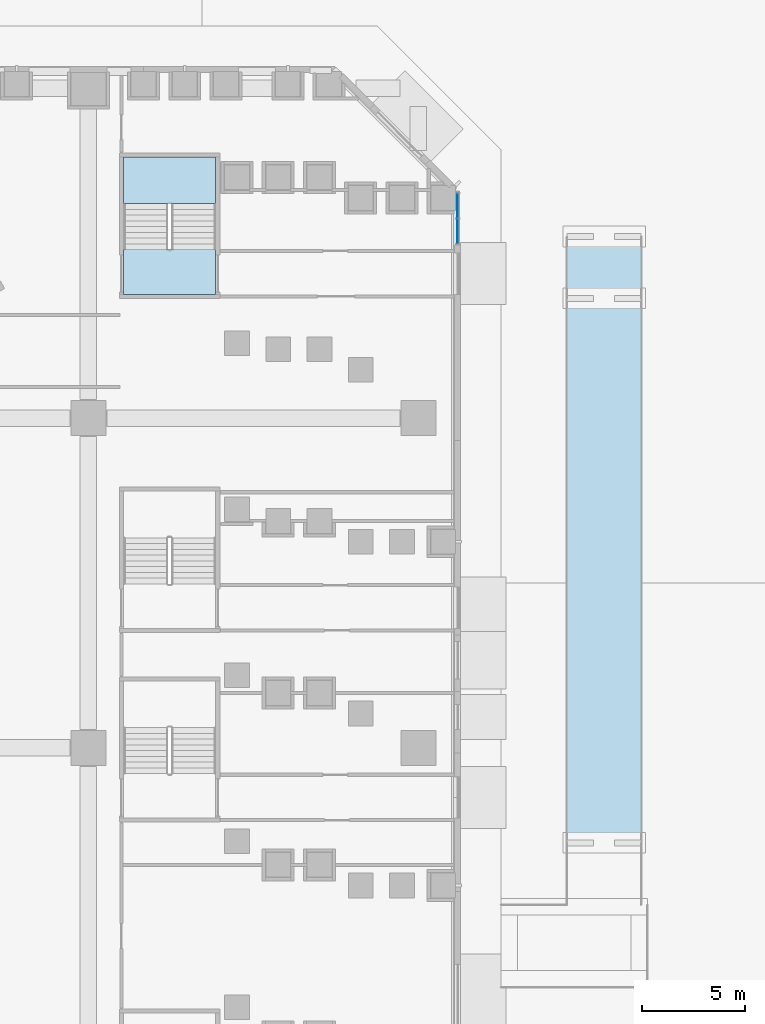
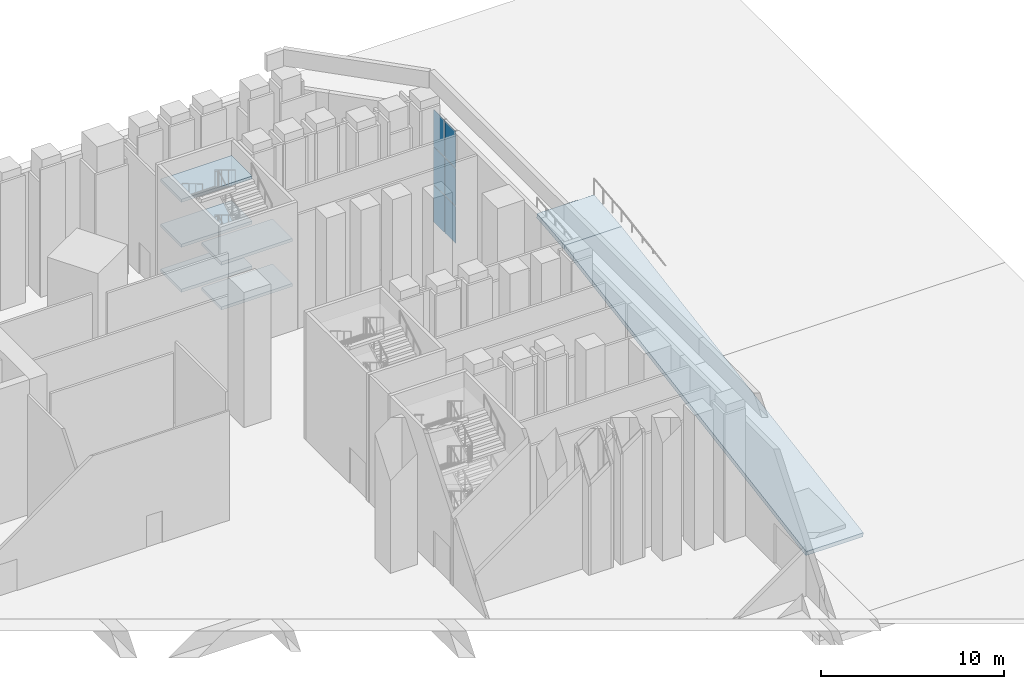
# One storey, part 17 of 51: 7 slabs, 6 plates, 3 elements without a shape of their own.
"""IFC4 building model written with IfcOpenShell, lengths in metres."""

from ifc_helpers import new_model, si_unit, direction, frame, origin, origin_2d, place, context, subcontext, project, spatial, polyline, rectangle, outline, extrude, material, layer, layer_set, type_object, element, aggregate, save


model = new_model("IFC4")

# Units and contexts
model_context = context("Model", 3, precision=1e-05, world=origin(), true_north=direction((0.0, 1.0)))
body_context = subcontext(model_context, "Body", "Model", "MODEL_VIEW")
ifc_project = project(units=[si_unit("LENGTHUNIT", "METRE"), si_unit("AREAUNIT", "SQUARE_METRE"), si_unit("VOLUMEUNIT", "CUBIC_METRE"), si_unit("PLANEANGLEUNIT", "RADIAN"), si_unit("MASSUNIT", "GRAM", prefix="KILO")], contexts=[model_context])

# Site, building, storey
site_placement = place(None, origin())
site = spatial("IfcSite", under=ifc_project, at=site_placement, CompositionType="ELEMENT")
building_placement = place(site_placement, origin())
building = spatial("IfcBuilding", under=site, at=building_placement, Name="Calabash Gate Tower", CompositionType="ELEMENT")
storey_placement = place(building_placement, origin())
storey = spatial("IfcBuildingStorey", under=building, at=storey_placement, Name="L00", CompositionType="ELEMENT", Elevation=0.0)

# Curtain wall, plates
ifc_material_1 = material(Name="Anodised aluminium frame, bronze finish, clear laminated impact-rated glazing", Category="aluminium")
curtain_wall_type = type_object("IfcCurtainWallType", Name="Curtain wall CWF podium shopfront", PredefinedType="NOTDEFINED", material=ifc_material_1)
curtain_wall_placement = place(storey_placement, origin())
curtain_wall = element("IfcCurtainWall", 1, at=curtain_wall_placement, inside=storey, type_object=curtain_wall_type, Name="Curtain wall CWF L00 2.1.0", PredefinedType="NOTDEFINED")
ifc_material_2 = material(Name="Clear laminated impact-rated glazing", Category="glass")
ifc_layer_1 = layer(ifc_material_2, 0.035888671875)
ifc_layer_set_1 = layer_set([ifc_layer_1], Name="Glass panel CWF 36")
plate_type = type_object("IfcPlateType", Name="Glass panel CWF 36", PredefinedType="CURTAIN_PANEL", material=ifc_layer_set_1)
plate_1_placement = place(storey_placement, frame((49.89990234375, 17.0537109375, 0.06494140625), z_axis=(0.0, 0.0, 1.0), x_axis=(0.0, 1.0, 0.0)))
plate_1 = element("IfcPlate", 2, at=plate_1_placement, type_object=plate_type, Name="CWF panel 1.1", PredefinedType="CURTAIN_PANEL", context=body_context, shape_type="SweptSolid", body=[
    extrude(rectangle(XDim=1.177490234375, YDim=0.035888671875, at=origin_2d()), origin(), (0.0, 0.0, 1.0), 2.435791015625),
])
plate_2_placement = place(storey_placement, frame((49.89990234375, 17.0537109375, 2.56591796875), z_axis=(0.0, 0.0, 1.0), x_axis=(0.0, 1.0, 0.0)))
plate_2 = element("IfcPlate", 3, at=plate_2_placement, type_object=plate_type, Name="CWF panel 1.2", PredefinedType="CURTAIN_PANEL", context=body_context, shape_type="SweptSolid", body=[
    extrude(rectangle(XDim=1.177490234375, YDim=0.035888671875, at=origin_2d()), origin(), (0.0, 0.0, 1.0), 2.46826171875),
])
plate_3_placement = place(storey_placement, frame((49.89990234375, 17.0537109375, 5.09912109375), z_axis=(0.0, 0.0, 1.0), x_axis=(0.0, 1.0, 0.0)))
plate_3 = element("IfcPlate", 4, at=plate_3_placement, type_object=plate_type, Name="CWF panel 1.3", PredefinedType="CURTAIN_PANEL", context=body_context, shape_type="SweptSolid", body=[
    extrude(rectangle(XDim=1.177490234375, YDim=0.035888671875, at=origin_2d()), origin(), (0.0, 0.0, 1.0), 2.435791015625),
])
plate_4_placement = place(storey_placement, frame((49.89990234375, 18.296142578125, 0.06494140625), z_axis=(0.0, 0.0, 1.0), x_axis=(0.0, 1.0, 0.0)))
plate_4 = element("IfcPlate", 5, at=plate_4_placement, type_object=plate_type, Name="CWF panel 2.1", PredefinedType="CURTAIN_PANEL", context=body_context, shape_type="SweptSolid", body=[
    extrude(rectangle(XDim=1.177490234375, YDim=0.035888671875, at=origin_2d()), origin(), (0.0, 0.0, 1.0), 2.435791015625),
])
plate_5_placement = place(storey_placement, frame((49.89990234375, 18.296142578125, 2.56591796875), z_axis=(0.0, 0.0, 1.0), x_axis=(0.0, 1.0, 0.0)))
plate_5 = element("IfcPlate", 6, at=plate_5_placement, type_object=plate_type, Name="CWF panel 2.2", PredefinedType="CURTAIN_PANEL", context=body_context, shape_type="SweptSolid", body=[
    extrude(rectangle(XDim=1.177490234375, YDim=0.035888671875, at=origin_2d()), origin(), (0.0, 0.0, 1.0), 2.46826171875),
])
plate_6_placement = place(storey_placement, frame((49.89990234375, 18.296142578125, 5.09912109375), z_axis=(0.0, 0.0, 1.0), x_axis=(0.0, 1.0, 0.0)))
plate_6 = element("IfcPlate", 7, at=plate_6_placement, type_object=plate_type, Name="CWF panel 2.3", PredefinedType="CURTAIN_PANEL", context=body_context, shape_type="SweptSolid", body=[
    extrude(rectangle(XDim=1.177490234375, YDim=0.035888671875, at=origin_2d()), origin(), (0.0, 0.0, 1.0), 2.435791015625),
])
aggregate(curtain_wall, [plate_1, plate_2, plate_3, plate_4, plate_5, plate_6])

# Stair, slabs
ifc_material_3 = material(Name="Concrete C40/50", Category="concrete")
stair_type = type_object("IfcStairType", Name="Public stair 54 risers of 166.7 mm", PredefinedType="HALF_TURN_STAIR", material=ifc_material_3)
stair_placement = place(storey_placement, origin())
stair = element("IfcStair", 8, at=stair_placement, inside=storey, type_object=stair_type, Name="L00 Public Stair PS10", PredefinedType="HALF_TURN_STAIR")
ifc_material_4 = material(Name="Concrete C40/50", Category="concrete")
ifc_layer_2 = layer(ifc_material_4, 0.199951171875)
ifc_layer_set_2 = layer_set([ifc_layer_2], Name="Stair landing SL200")
slab_type_1 = type_object("IfcSlabType", Name="Stair landing SL200", PredefinedType="LANDING", material=ifc_layer_set_2)
slab_1_placement = place(storey_placement, frame((0.0, 0.0, 1.300048828125)))
slab_1 = element("IfcSlab", 9, at=slab_1_placement, type_object=slab_type_1, Name="PS10 landing 1", PredefinedType="LANDING", context=body_context, shape_type="SweptSolid", body=[
    extrude(outline(polyline([(38.169921875, 18.39208984375), (38.169921875, 20.64990234375), (33.699951171875, 20.64990234375), (33.699951171875, 18.39208984375), (38.169921875, 18.39208984375)])), origin(), (0.0, 0.0, 1.0), 0.199951171875),
])
slab_2_placement = place(storey_placement, frame((0.0, 0.0, 2.800048828125)))
slab_2 = element("IfcSlab", 10, at=slab_2_placement, type_object=slab_type_1, Name="PS10 landing 2", PredefinedType="LANDING", context=body_context, shape_type="SweptSolid", body=[
    extrude(outline(polyline([(38.169921875, 14.0), (38.169921875, 16.159912109375), (33.699951171875, 16.159912109375), (33.699951171875, 14.0), (38.169921875, 14.0)])), origin(), (0.0, 0.0, 1.0), 0.199951171875),
])
slab_3_placement = place(storey_placement, frame((0.0, 0.0, 4.300048828125)))
slab_3 = element("IfcSlab", 11, at=slab_3_placement, type_object=slab_type_1, Name="PS10 landing 3", PredefinedType="LANDING", context=body_context, shape_type="SweptSolid", body=[
    extrude(outline(polyline([(38.169921875, 18.39208984375), (38.169921875, 20.64990234375), (33.699951171875, 20.64990234375), (33.699951171875, 18.39208984375), (38.169921875, 18.39208984375)])), origin(), (0.0, 0.0, 1.0), 0.199951171875),
])
slab_4_placement = place(storey_placement, frame((0.0, 0.0, 5.800048828125)))
slab_4 = element("IfcSlab", 12, at=slab_4_placement, type_object=slab_type_1, Name="PS10 landing 4", PredefinedType="LANDING", context=body_context, shape_type="SweptSolid", body=[
    extrude(outline(polyline([(38.169921875, 14.0), (38.169921875, 16.159912109375), (33.699951171875, 16.159912109375), (33.699951171875, 14.0), (38.169921875, 14.0)])), origin(), (0.0, 0.0, 1.0), 0.199951171875),
])
slab_5_placement = place(storey_placement, frame((0.0, 0.0, 7.300048828125)))
slab_5 = element("IfcSlab", 13, at=slab_5_placement, type_object=slab_type_1, Name="PS10 landing 5", PredefinedType="LANDING", context=body_context, shape_type="SweptSolid", body=[
    extrude(outline(polyline([(38.169921875, 18.39208984375), (38.169921875, 20.64990234375), (33.699951171875, 20.64990234375), (33.699951171875, 18.39208984375), (38.169921875, 18.39208984375)])), origin(), (0.0, 0.0, 1.0), 0.199951171875),
])
aggregate(stair, [slab_1, slab_2, slab_3, slab_4, slab_5])

# Assembly, slabs
assembly_placement = place(storey_placement, origin())
assembly = element("IfcElementAssembly", 14, at=assembly_placement, inside=storey, Name="Entry Ramp", ObjectType="Vehicle ramp", PredefinedType="USERDEFINED")
ifc_material_5 = material(Name="Concrete C40/50", Category="concrete")
ifc_layer_3 = layer(ifc_material_5, 0.300048828125)
ifc_layer_set_3 = layer_set([ifc_layer_3], Name="Vehicle ramp slab 300 Concrete C40/50")
slab_type_2 = type_object("IfcSlabType", Name="Vehicle ramp slab 300 Concrete C40/50", PredefinedType="FLOOR", material=ifc_layer_set_3)
slab_6_placement = place(storey_placement, frame((55.199951171875, -12.60009765625, -4.699951171875), z_axis=(0.0, -0.164394549632, 0.986394663434), x_axis=(1.0, 0.0, 0.0)))
slab_6 = element("IfcSlab", 15, at=slab_6_placement, type_object=slab_type_2, Name="Entry Ramp slab 2", PredefinedType="FLOOR", context=body_context, shape_type="SweptSolid", body=[
    extrude(outline(polyline([(0.0, 0.0), (3.60009765625, 0.0), (3.60009765625, 26.764404296875), (0.0, 26.764404296875), (0.0, 0.0)])), origin(), (0.0, 0.0, -1.0), 0.300048828125),
])
slab_7_placement = place(storey_placement, frame((55.199951171875, 13.800048828125, -0.300048828125), z_axis=(0.0, -0.0995197539, 0.995035586592), x_axis=(1.0, 0.0, 0.0)))
slab_7 = element("IfcSlab", 16, at=slab_7_placement, type_object=slab_type_2, Name="Entry Ramp slab 3", PredefinedType="FLOOR", context=body_context, shape_type="SweptSolid", body=[
    extrude(outline(polyline([(0.0, 0.0), (3.60009765625, 0.0), (3.60009765625, 3.014892578125), (0.0, 3.014892578125), (0.0, 0.0)])), origin(), (0.0, 0.0, -1.0), 0.300048828125),
])
aggregate(assembly, [slab_6, slab_7])

save(model, "model.ifc")
